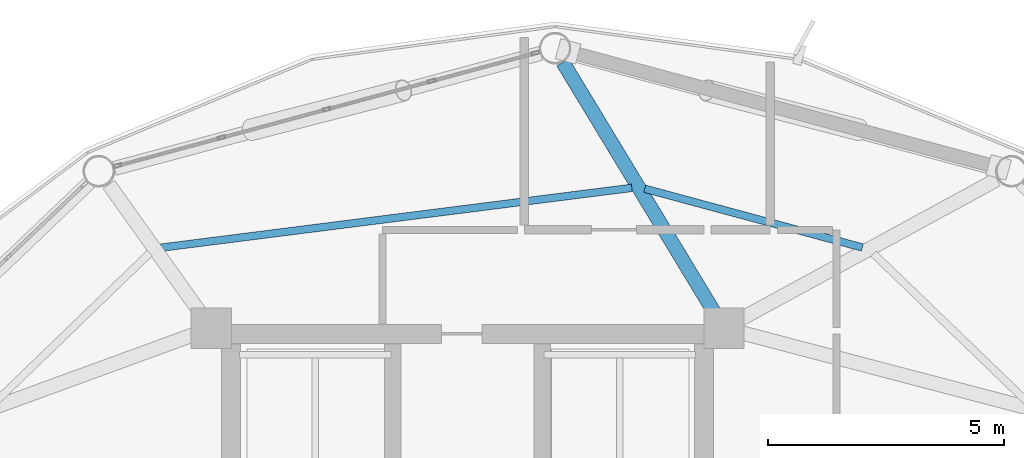
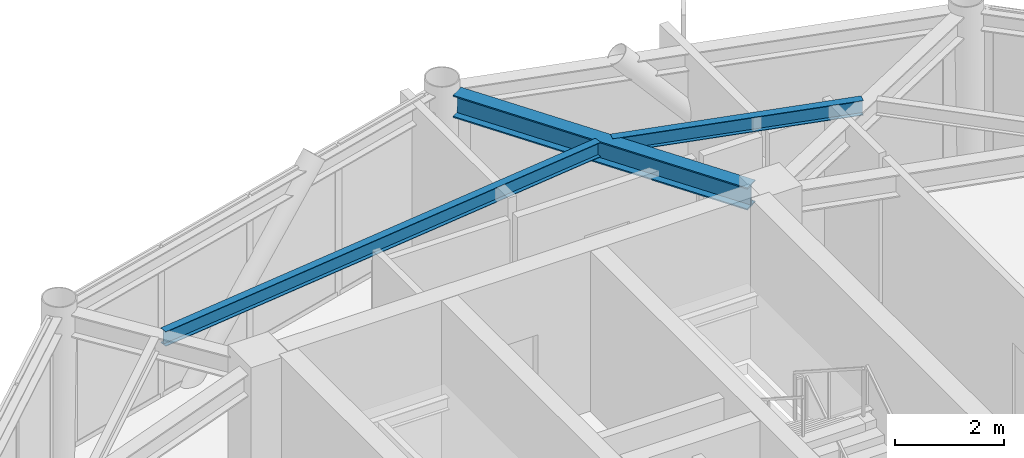
# One storey, part 20 of 28: 3 beams.
"""IFC4 building model written with IfcOpenShell, lengths in metres."""

from ifc_helpers import new_model, si_unit, direction, frame, origin, origin_2d, place, context, subcontext, project, spatial, i_section, extrude, material, material_profile, profile_set, type_object, element, save


model = new_model("IFC4")

# Units and contexts
model_context = context("Model", 3, precision=1e-05, world=origin(), true_north=direction((0.0, 1.0)))
body_context = subcontext(model_context, "Body", "Model", "MODEL_VIEW")
ifc_project = project(units=[si_unit("LENGTHUNIT", "METRE"), si_unit("AREAUNIT", "SQUARE_METRE"), si_unit("VOLUMEUNIT", "CUBIC_METRE"), si_unit("PLANEANGLEUNIT", "RADIAN"), si_unit("MASSUNIT", "GRAM", prefix="KILO")], contexts=[model_context])

# Site, building, storey
site_placement = place(None, origin())
site = spatial("IfcSite", under=ifc_project, at=site_placement, CompositionType="ELEMENT")
building_placement = place(site_placement, origin())
building = spatial("IfcBuilding", under=site, at=building_placement, Name="Varnakorn Sky Granary", CompositionType="ELEMENT")
storey_placement = place(building_placement, frame((0.0, 0.0, 196.800048828125)))
storey = spatial("IfcBuildingStorey", under=building, at=storey_placement, Name="L49", CompositionType="ELEMENT", Elevation=196.800048828125)

# Beams
ifc_material = material(Name="Steel S355JR", Category="steel")
ifc_material_profile_1 = material_profile(ifc_material, i_section(OverallWidth=0.300048828125, OverallDepth=0.5, WebThickness=0.014404296875, FlangeThickness=0.028076171875, at=origin_2d()), Name="HE 500 B")
ifc_profile_set_1 = profile_set([ifc_material_profile_1], Name="Steel S355JR")
beam_type_1 = type_object("IfcBeamType", Name="BM-RAD-Z4", PredefinedType="BEAM", material=ifc_profile_set_1)
beam_1_placement = place(storey_placement, frame((8.210205078125, 12.96630859375, 3.10986328125), z_axis=(-0.518139476401, 0.855296137601, 0.0), x_axis=(-0.855296137601, -0.518139476401, 0.0)))
element("IfcBeam", 1, at=beam_1_placement, inside=storey, type_object=beam_type_1, Name="Radial Floor Girder RG04 L49", PredefinedType="BEAM", context=body_context, shape_type="SweptSolid", body=[
    extrude(i_section(OverallWidth=0.300048828125, OverallDepth=0.5, WebThickness=0.014404296875, FlangeThickness=0.028076171875, at=origin_2d()), origin(), (0.0, 0.0, 1.0), 6.170166015625),
])
ifc_material_profile_2 = material_profile(ifc_material, i_section(OverallWidth=0.159912109375, OverallDepth=0.330078125, WebThickness=0.007568359375, FlangeThickness=0.011474609375, at=origin_2d()), Name="IPE 330")
ifc_profile_set_2 = profile_set([ifc_material_profile_2], Name="Steel S355JR")
beam_type_2 = type_object("IfcBeamType", Name="BM-SEC-Z4", PredefinedType="BEAM", material=ifc_profile_set_2)
beam_2_placement = place(storey_placement, frame((11.349609375, 14.325927734375, 3.195068359375), z_axis=(-0.965433077363, 0.260651056266, 0.0), x_axis=(-0.260651056266, -0.965433077363, 0.0)))
element("IfcBeam", 2, at=beam_2_placement, inside=storey, type_object=beam_type_2, Name="Secondary Floor Chord Beam MSB03 L49", PredefinedType="BEAM", context=body_context, shape_type="SweptSolid", body=[
    extrude(i_section(OverallWidth=0.159912109375, OverallDepth=0.330078125, WebThickness=0.007568359375, FlangeThickness=0.011474609375, at=origin_2d()), origin(), (0.0, 0.0, 1.0), 4.767578125),
])
beam_3_placement = place(storey_placement, frame((6.472900390625, 15.58740234375, 3.195068359375), z_axis=(-0.992021660217, -0.126067544038, 0.0), x_axis=(0.126067544038, -0.992021660217, 0.0)))
element("IfcBeam", 3, at=beam_3_placement, inside=storey, type_object=beam_type_2, Name="Secondary Floor Chord Beam MSB04 L49", PredefinedType="BEAM", context=body_context, shape_type="SweptSolid", body=[
    extrude(i_section(OverallWidth=0.159912109375, OverallDepth=0.330078125, WebThickness=0.007568359375, FlangeThickness=0.011474609375, at=origin_2d()), origin(), (0.0, 0.0, 1.0), 10.035400390625),
])

save(model, "model.ifc")
